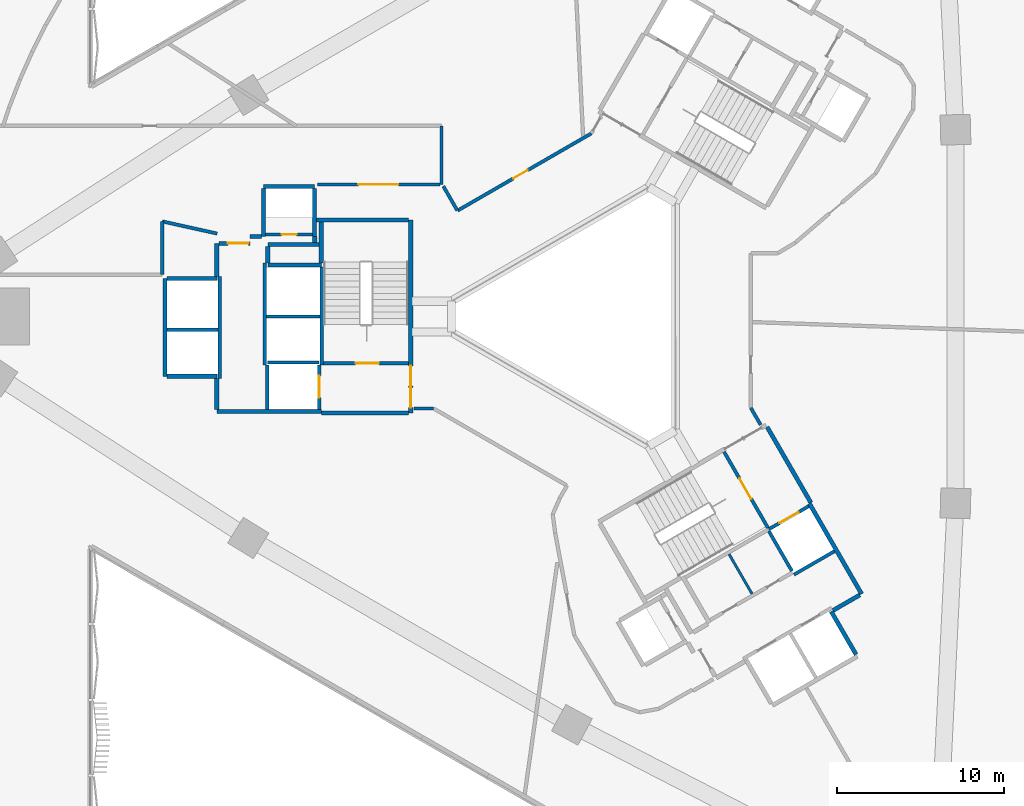
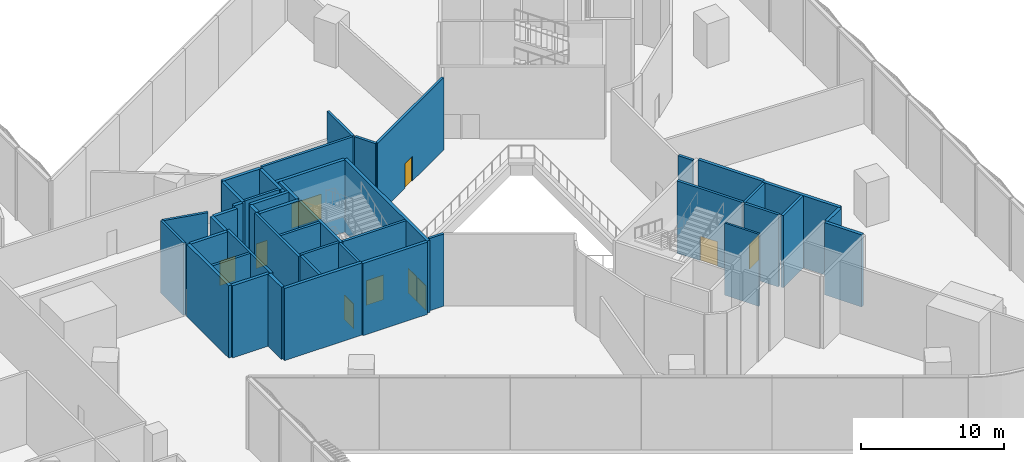
# One storey, part 15 of 32: 46 walls, 10 doors, 10 openings.
"""IFC4 building model written with IfcOpenShell, lengths in metres."""

from ifc_helpers import new_model, si_unit, direction, frame, frame_2d, origin, place, context, subcontext, project, spatial, rectangle, extrude, material, layer, layer_set, type_object, element, fill, save


model = new_model("IFC4")

# Units and contexts
model_context = context("Model", 3, precision=1e-05, world=origin(), true_north=direction((0.0, 1.0)))
body_context = subcontext(model_context, "Body", "Model", "MODEL_VIEW")
ifc_project = project(units=[si_unit("LENGTHUNIT", "METRE"), si_unit("AREAUNIT", "SQUARE_METRE"), si_unit("VOLUMEUNIT", "CUBIC_METRE"), si_unit("PLANEANGLEUNIT", "RADIAN"), si_unit("MASSUNIT", "GRAM", prefix="KILO")], contexts=[model_context])

# Site, building, storey
site_placement = place(None, origin())
site = spatial("IfcSite", under=ifc_project, at=site_placement, CompositionType="ELEMENT")
building_placement = place(site_placement, origin())
building = spatial("IfcBuilding", under=site, at=building_placement, Name="Tamra Quay Hotel Tower", CompositionType="ELEMENT")
storey_placement = place(building_placement, frame((0.0, 0.0, 7.5)))
storey = spatial("IfcBuildingStorey", under=building, at=storey_placement, Name="L01", CompositionType="ELEMENT", Elevation=7.5)

# Walls
ifc_material_1 = material(Name="Concrete M70", Category="concrete")
ifc_layer_1 = layer(ifc_material_1, 0.199951171875)
ifc_layer_set_1 = layer_set([ifc_layer_1], Name="Concrete M70 core wall 200")
wall_type_1 = type_object("IfcWallType", Name="Concrete M70 core wall 200", PredefinedType="SHEAR", material=ifc_layer_set_1)
wall_1_placement = place(storey_placement, frame((-16.162109375, 2.95068359375, 0.0), z_axis=(0.0, 0.0, 1.0), x_axis=(0.0, -1.0, 0.0)))
element("IfcWall", 1, at=wall_1_placement, inside=storey, type_object=wall_type_1, Name="CW2", PredefinedType="SHEAR", context=body_context, shape_type="SweptSolid", body=[
    extrude(rectangle(XDim=5.850830078125, YDim=0.199951171875, at=frame_2d((2.92529296875, 0.0))), origin(), (0.0, 0.0, 1.0), 6.14990234375),
])
for number, where, z_axis, x_axis, name in (
    (2, (-19.5625, -2.900146484375, 0.0), (0.0, 0.0, 1.0), (0.0, 1.0, 0.0), "CW2"),
    (3, (-22.26220703125, 2.400146484375, 0.0), (0.0, 0.0, 1.0), (0.0, -1.0, 0.0), "CW2"),
):
    element("IfcWall", number, at=place(storey_placement, frame(where, z_axis=z_axis, x_axis=x_axis)), inside=storey, type_object=wall_type_1, Name=name, PredefinedType="SHEAR", context=body_context, shape_type="SweptSolid", body=[
        extrude(rectangle(XDim=6.100341796875, YDim=0.199951171875, at=frame_2d((3.05029296875, 0.0))), origin(), (0.0, 0.0, 1.0), 6.14990234375),
    ])

# Wall, opening, door
wall_2_placement = place(storey_placement, frame((-10.96337890625, -2.800048828125, 0.0), z_axis=(0.0, 0.0, 1.0), x_axis=(-1.0, 0.0, 0.0)))
wall_2 = element("IfcWall", 4, at=wall_2_placement, inside=storey, type_object=wall_type_1, Name="CW2", PredefinedType="SHEAR", context=body_context, shape_type="SweptSolid", body=[
    extrude(rectangle(XDim=5.097900390625, YDim=0.199951171875, at=frame_2d((2.548828125, 0.0))), origin(), (0.0, 0.0, 1.0), 6.14990234375),
])
opening_1_placement = place(wall_2_placement, frame((1.77392578125, 0.0, 0.0)))
opening_1 = element("IfcOpeningElement", 5, at=opening_1_placement, cuts=wall_2, Name="Opening FD2", PredefinedType="OPENING", context=body_context, shape_type="SweptSolid", body=[
    extrude(rectangle(XDim=1.39990234375, YDim=2.10009765625, at=frame_2d((0.699951171875, 1.050048828125))), frame((0.0, 0.10986328125, 0.0), z_axis=(0.0, -1.0, 0.0), x_axis=(1.0, 0.0, 0.0)), (0.0, 0.0, 1.0), 0.219970703125),
])
ifc_material_2 = material(Name="Core door FD2 1400x2100 RH")
door_type_1 = type_object("IfcDoorType", Name="Core door FD2 1400x2100 RH", OperationType="NOTDEFINED", PredefinedType="DOOR", material=ifc_material_2)
door_1_placement = place(opening_1_placement, origin())
door_1 = element("IfcDoor", 6, at=door_1_placement, inside=storey, type_object=door_type_1, Name="FD2", OperationType="SINGLE_SWING_RIGHT", OverallHeight=2.10009765625, OverallWidth=1.39990234375, PredefinedType="DOOR", context=body_context, shape_type="SweptSolid", body=[
    extrude(rectangle(XDim=1.39990234375, YDim=2.10009765625, at=frame_2d((0.699951171875, 1.050048828125))), frame((0.0, 0.02490234375, 0.0), z_axis=(0.0, -1.0, 0.0), x_axis=(1.0, 0.0, 0.0)), (0.0, 0.0, 1.0), 0.050048828125),
])
fill(opening_1, door_1)

# Walls
wall_3_placement = place(storey_placement, frame((-16.26318359375, 0.0, 0.0), z_axis=(0.0, 0.0, 1.0), x_axis=(-1.0, 0.0, 0.0)))
element("IfcWall", 7, at=wall_3_placement, inside=storey, type_object=wall_type_1, Name="CW2", PredefinedType="SHEAR", context=body_context, shape_type="SweptSolid", body=[
    extrude(rectangle(XDim=3.1982421875, YDim=0.199951171875, at=frame_2d((1.59912109375, 0.0))), origin(), (0.0, 0.0, 1.0), 6.14990234375),
])
wall_4_placement = place(storey_placement, frame((-22.36328125, -0.800048828125, 0.0), z_axis=(0.0, 0.0, 1.0), x_axis=(-1.0, 0.0, 0.0)))
element("IfcWall", 8, at=wall_4_placement, inside=storey, type_object=wall_type_1, Name="CW2", PredefinedType="SHEAR", context=body_context, shape_type="SweptSolid", body=[
    extrude(rectangle(XDim=3.048095703125, YDim=0.199951171875, at=frame_2d((1.52392578125, 0.0))), origin(), (0.0, 0.0, 1.0), 6.14990234375),
])

# Wall, opening, door
wall_5_placement = place(storey_placement, frame((-19.51123046875, 4.91015625, 0.0), z_axis=(0.0, 0.0, 1.0), x_axis=(1.0, 0.0, 0.0)))
wall_5 = element("IfcWall", 9, at=wall_5_placement, inside=storey, type_object=wall_type_1, Name="CW2", PredefinedType="SHEAR", context=body_context, shape_type="SweptSolid", body=[
    extrude(rectangle(XDim=2.7978515625, YDim=0.199951171875, at=frame_2d((1.39892578125, 0.0))), origin(), (0.0, 0.0, 1.0), 6.14990234375),
])
opening_2_placement = place(wall_5_placement, frame((0.948974609375, 0.0, 0.0)))
opening_2 = element("IfcOpeningElement", 10, at=opening_2_placement, cuts=wall_5, Name="Opening D1", PredefinedType="OPENING", context=body_context, shape_type="SweptSolid", body=[
    extrude(rectangle(XDim=0.89990234375, YDim=2.10009765625, at=frame_2d((0.449951171875, 1.050048828125))), frame((0.0, 0.10986328125, 0.0), z_axis=(0.0, -1.0, 0.0), x_axis=(1.0, 0.0, 0.0)), (0.0, 0.0, 1.0), 0.219970703125),
])
ifc_material_3 = material(Name="Core door D1 900x2100 LH")
door_type_2 = type_object("IfcDoorType", Name="Core door D1 900x2100 LH", OperationType="NOTDEFINED", PredefinedType="DOOR", material=ifc_material_3)
door_2_placement = place(opening_2_placement, origin())
door_2 = element("IfcDoor", 11, at=door_2_placement, inside=storey, type_object=door_type_2, Name="D1", OperationType="SINGLE_SWING_LEFT", OverallHeight=2.10009765625, OverallWidth=0.89990234375, PredefinedType="DOOR", context=body_context, shape_type="SweptSolid", body=[
    extrude(rectangle(XDim=0.89990234375, YDim=2.10009765625, at=frame_2d((0.449951171875, 1.050048828125))), frame((0.0, 0.02490234375, 0.0), z_axis=(0.0, -1.0, 0.0), x_axis=(1.0, 0.0, 0.0)), (0.0, 0.0, 1.0), 0.050048828125),
])
fill(opening_2, door_2)

# Wall
wall_6_placement = place(storey_placement, frame((-19.412353515625, -2.75, 0.0), z_axis=(0.0, 0.0, 1.0), x_axis=(1.0, 0.0, 0.0)))
element("IfcWall", 12, at=wall_6_placement, inside=storey, type_object=wall_type_1, Name="CW2", PredefinedType="SHEAR", context=body_context, shape_type="SweptSolid", body=[
    extrude(rectangle(XDim=3.10009765625, YDim=0.199951171875, at=frame_2d((1.550048828125, 0.0))), origin(), (0.0, 0.0, 1.0), 6.14990234375),
])

# Wall, opening, door
wall_7_placement = place(storey_placement, frame((-16.312255859375, -2.898193359375, 0.0), z_axis=(0.0, 0.0, 1.0), x_axis=(0.0, -1.0, 0.0)))
wall_7 = element("IfcWall", 13, at=wall_7_placement, inside=storey, type_object=wall_type_1, Name="CW2", PredefinedType="SHEAR", context=body_context, shape_type="SweptSolid", body=[
    extrude(rectangle(XDim=2.65087890625, YDim=0.199951171875, at=frame_2d((1.325439453125, 0.0))), origin(), (0.0, 0.0, 1.0), 6.14990234375),
])
opening_3_placement = place(wall_7_placement, frame((0.65185546875, 0.0, 0.0)))
opening_3 = element("IfcOpeningElement", 14, at=opening_3_placement, cuts=wall_7, Name="Opening LD", PredefinedType="OPENING", context=body_context, shape_type="SweptSolid", body=[
    extrude(rectangle(XDim=1.300048828125, YDim=2.10009765625, at=frame_2d((0.64990234375, 1.050048828125))), frame((0.0, 0.10986328125, 0.0), z_axis=(0.0, -1.0, 0.0), x_axis=(1.0, 0.0, 0.0)), (0.0, 0.0, 1.0), 0.219970703125),
])
ifc_material_4 = material(Name="Landing door LD 1300 sliding to right")
door_type_3 = type_object("IfcDoorType", Name="Landing door LD 1300 sliding to right", OperationType="NOTDEFINED", PredefinedType="DOOR", material=ifc_material_4)
door_3_placement = place(opening_3_placement, origin())
door_3 = element("IfcDoor", 15, at=door_3_placement, inside=storey, type_object=door_type_3, Name="LD", OperationType="SLIDING_TO_RIGHT", OverallHeight=2.10009765625, OverallWidth=1.300048828125, PredefinedType="DOOR", context=body_context, shape_type="SweptSolid", body=[
    extrude(rectangle(XDim=1.300048828125, YDim=2.10009765625, at=frame_2d((0.64990234375, 1.050048828125))), frame((0.0, 0.02490234375, 0.0), z_axis=(0.0, -1.0, 0.0), x_axis=(1.0, 0.0, 0.0)), (0.0, 0.0, 1.0), 0.050048828125),
])
fill(opening_3, door_3)

# Wall
wall_8_placement = place(storey_placement, frame((-19.412353515625, -5.549072265625, 0.0), z_axis=(0.0, 0.0, 1.0), x_axis=(0.0, 1.0, 0.0)))
element("IfcWall", 16, at=wall_8_placement, inside=storey, type_object=wall_type_1, Name="CW2", PredefinedType="SHEAR", context=body_context, shape_type="SweptSolid", body=[
    extrude(rectangle(XDim=2.65087890625, YDim=0.199951171875, at=frame_2d((1.325439453125, 0.0))), origin(), (0.0, 0.0, 1.0), 6.14990234375),
])

# Wall, opening, door
wall_9_placement = place(storey_placement, frame((7.906494140625, -8.094482421875, 0.0), z_axis=(0.0, 0.0, 1.0), x_axis=(0.500024287448, -0.866011380966, 0.0)))
wall_9 = element("IfcWall", 17, at=wall_9_placement, inside=storey, type_object=wall_type_1, Name="CW2", PredefinedType="SHEAR", context=body_context, shape_type="SweptSolid", body=[
    extrude(rectangle(XDim=5.251220703125, YDim=0.199951171875, at=frame_2d((2.62548828125, 0.0))), origin(), (0.0, 0.0, 1.0), 6.14990234375),
])
opening_4_placement = place(wall_9_placement, frame((1.84912109375, 0.0, 0.0)))
opening_4 = element("IfcOpeningElement", 18, at=opening_4_placement, cuts=wall_9, Name="Opening FD2", PredefinedType="OPENING", context=body_context, shape_type="SweptSolid", body=[
    extrude(rectangle(XDim=1.39990234375, YDim=2.10009765625, at=frame_2d((0.699951171875, 1.050048828125))), frame((0.0, 0.10986328125, 0.0), z_axis=(0.0, -1.0, 0.0), x_axis=(1.0, 0.0, 0.0)), (0.0, 0.0, 1.0), 0.219970703125),
])
ifc_material_5 = material(Name="Core door FD2 1400x2100 LH")
door_type_4 = type_object("IfcDoorType", Name="Core door FD2 1400x2100 LH", OperationType="NOTDEFINED", PredefinedType="DOOR", material=ifc_material_5)
door_4_placement = place(opening_4_placement, origin())
door_4 = element("IfcDoor", 19, at=door_4_placement, inside=storey, type_object=door_type_4, Name="FD2", OperationType="SINGLE_SWING_LEFT", OverallHeight=2.10009765625, OverallWidth=1.39990234375, PredefinedType="DOOR", context=body_context, shape_type="SweptSolid", body=[
    extrude(rectangle(XDim=1.39990234375, YDim=2.10009765625, at=frame_2d((0.699951171875, 1.050048828125))), frame((0.0, 0.02490234375, 0.0), z_axis=(0.0, -1.0, 0.0), x_axis=(1.0, 0.0, 0.0)), (0.0, 0.0, 1.0), 0.050048828125),
])
fill(opening_4, door_4)

# Wall
wall_10_placement = place(storey_placement, frame((11.962646484375, -15.219970703125, 0.0), z_axis=(0.0, 0.0, 1.0), x_axis=(-0.500034990121, 0.866005201286, 0.0)))
element("IfcWall", 20, at=wall_10_placement, inside=storey, type_object=wall_type_1, Name="CW2", PredefinedType="SHEAR", context=body_context, shape_type="SweptSolid", body=[
    extrude(rectangle(XDim=2.749755859375, YDim=0.199951171875, at=frame_2d((1.375, 0.0))), origin(), (0.0, 0.0, 1.0), 6.14990234375),
])

# Wall, opening, door
wall_11_placement = place(storey_placement, frame((10.587158203125, -12.72314453125, 0.0), z_axis=(0.0, 0.0, 1.0), x_axis=(0.866037306777, 0.499979382845, 0.0)))
wall_11 = element("IfcWall", 21, at=wall_11_placement, inside=storey, type_object=wall_type_1, Name="CW2", PredefinedType="SHEAR", context=body_context, shape_type="SweptSolid", body=[
    extrude(rectangle(XDim=2.74169921875, YDim=0.199951171875, at=frame_2d((1.370849609375, 0.0))), origin(), (0.0, 0.0, 1.0), 6.14990234375),
])
opening_5_placement = place(wall_11_placement, frame((0.742919921875, 0.0, 0.0)))
opening_5 = element("IfcOpeningElement", 22, at=opening_5_placement, cuts=wall_11, Name="Opening LD", PredefinedType="OPENING", context=body_context, shape_type="SweptSolid", body=[
    extrude(rectangle(XDim=1.300048828125, YDim=2.10009765625, at=frame_2d((0.64990234375, 1.050048828125))), frame((0.0, 0.10986328125, 0.0), z_axis=(0.0, -1.0, 0.0), x_axis=(1.0, 0.0, 0.0)), (0.0, 0.0, 1.0), 0.219970703125),
])
ifc_material_6 = material(Name="Landing door LD 1300 sliding to left")
door_type_5 = type_object("IfcDoorType", Name="Landing door LD 1300 sliding to left", OperationType="NOTDEFINED", PredefinedType="DOOR", material=ifc_material_6)
door_5_placement = place(opening_5_placement, origin())
door_5 = element("IfcDoor", 23, at=door_5_placement, inside=storey, type_object=door_type_5, Name="LD", OperationType="SLIDING_TO_LEFT", OverallHeight=2.10009765625, OverallWidth=1.300048828125, PredefinedType="DOOR", context=body_context, shape_type="SweptSolid", body=[
    extrude(rectangle(XDim=1.300048828125, YDim=2.10009765625, at=frame_2d((0.64990234375, 1.050048828125))), frame((0.0, 0.02490234375, 0.0), z_axis=(0.0, -1.0, 0.0), x_axis=(1.0, 0.0, 0.0)), (0.0, 0.0, 1.0), 0.050048828125),
])
fill(opening_5, door_5)

# Wall
wall_12_placement = place(storey_placement, frame((14.51171875, -14.037109375, 0.0), z_axis=(0.0, 0.0, 1.0), x_axis=(-0.866044696403, -0.499966582715, 0.0)))
element("IfcWall", 24, at=wall_12_placement, inside=storey, type_object=wall_type_1, Name="CW2", PredefinedType="SHEAR", context=body_context, shape_type="SweptSolid", body=[
    extrude(rectangle(XDim=2.799072265625, YDim=0.199951171875, at=frame_2d((1.3994140625, 0.0))), origin(), (0.0, 0.0, 1.0), 6.14990234375),
])

# Wall, openings, doors
ifc_layer_2 = layer(ifc_material_1, 0.25)
ifc_layer_set_2 = layer_set([ifc_layer_2], Name="Concrete M70 core wall 250")
wall_type_2 = type_object("IfcWallType", Name="Concrete M70 core wall 250", PredefinedType="SHEAR", material=ifc_layer_set_2)
wall_13_placement = place(storey_placement, frame((-10.83740234375, 5.77490234375, 0.0), z_axis=(0.0, 0.0, 1.0), x_axis=(0.0, -1.0, 0.0)))
wall_13 = element("IfcWall", 25, at=wall_13_placement, inside=storey, type_object=wall_type_2, Name="CW1", PredefinedType="SHEAR", context=body_context, shape_type="SweptSolid", body=[
    extrude(rectangle(XDim=11.5498046875, YDim=0.25, at=frame_2d((5.77490234375, 0.0))), origin(), (0.0, 0.0, 1.0), 6.14990234375),
])
opening_6_placement = place(wall_13_placement, frame((10.02490234375, 0.0, 0.0)))
opening_6 = element("IfcOpeningElement", 26, at=opening_6_placement, cuts=wall_13, Name="Opening FD1", PredefinedType="OPENING", context=body_context, shape_type="SweptSolid", body=[
    extrude(rectangle(XDim=1.199951171875, YDim=2.10009765625, at=frame_2d((0.60009765625, 1.050048828125))), frame((0.0, 0.135009765625, 0.0), z_axis=(0.0, -1.0, 0.0), x_axis=(1.0, 0.0, 0.0)), (0.0, 0.0, 1.0), 0.27001953125),
])
opening_7_placement = place(wall_13_placement, frame((8.72509765625, 0.0, 0.0)))
opening_7 = element("IfcOpeningElement", 27, at=opening_7_placement, cuts=wall_13, Name="Opening FD1", PredefinedType="OPENING", context=body_context, shape_type="SweptSolid", body=[
    extrude(rectangle(XDim=1.199951171875, YDim=2.10009765625, at=frame_2d((0.60009765625, 1.050048828125))), frame((0.0, 0.135009765625, 0.0), z_axis=(0.0, -1.0, 0.0), x_axis=(1.0, 0.0, 0.0)), (0.0, 0.0, 1.0), 0.27001953125),
])
ifc_material_7 = material(Name="Core door FD1 1200x2100 LH")
door_type_6 = type_object("IfcDoorType", Name="Core door FD1 1200x2100 LH", OperationType="NOTDEFINED", PredefinedType="DOOR", material=ifc_material_7)
door_6_placement = place(opening_6_placement, origin())
door_6 = element("IfcDoor", 28, at=door_6_placement, inside=storey, type_object=door_type_6, Name="FD1", OperationType="SINGLE_SWING_LEFT", OverallHeight=2.10009765625, OverallWidth=1.199951171875, PredefinedType="DOOR", context=body_context, shape_type="SweptSolid", body=[
    extrude(rectangle(XDim=1.199951171875, YDim=2.10009765625, at=frame_2d((0.60009765625, 1.050048828125))), frame((0.0, 0.02490234375, 0.0), z_axis=(0.0, -1.0, 0.0), x_axis=(1.0, 0.0, 0.0)), (0.0, 0.0, 1.0), 0.050048828125),
])
fill(opening_6, door_6)
ifc_material_8 = material(Name="Core door FD1 1200x2100 RH")
door_type_7 = type_object("IfcDoorType", Name="Core door FD1 1200x2100 RH", OperationType="NOTDEFINED", PredefinedType="DOOR", material=ifc_material_8)
door_7_placement = place(opening_7_placement, origin())
door_7 = element("IfcDoor", 29, at=door_7_placement, inside=storey, type_object=door_type_7, Name="FD1", OperationType="SINGLE_SWING_RIGHT", OverallHeight=2.10009765625, OverallWidth=1.199951171875, PredefinedType="DOOR", context=body_context, shape_type="SweptSolid", body=[
    extrude(rectangle(XDim=1.199951171875, YDim=2.10009765625, at=frame_2d((0.60009765625, 1.050048828125))), frame((0.0, 0.02490234375, 0.0), z_axis=(0.0, -1.0, 0.0), x_axis=(1.0, 0.0, 0.0)), (0.0, 0.0, 1.0), 0.050048828125),
])
fill(opening_7, door_7)

# Walls
wall_14_placement = place(storey_placement, frame((-16.187255859375, -5.675048828125, 0.0), z_axis=(0.0, 0.0, 1.0), x_axis=(-1.0, 0.0, 0.0)))
element("IfcWall", 30, at=wall_14_placement, inside=storey, type_object=wall_type_2, Name="CW1", PredefinedType="SHEAR", context=body_context, shape_type="SweptSolid", body=[
    extrude(rectangle(XDim=6.25, YDim=0.25, at=frame_2d((3.125, 0.0))), origin(), (0.0, 0.0, 1.0), 6.14990234375),
])
wall_15_placement = place(storey_placement, frame((-25.537353515625, -3.574951171875, 0.0), z_axis=(0.0, 0.0, 1.0), x_axis=(0.0, 1.0, 0.0)))
element("IfcWall", 31, at=wall_15_placement, inside=storey, type_object=wall_type_2, Name="CW1", PredefinedType="SHEAR", context=body_context, shape_type="SweptSolid", body=[
    extrude(rectangle(XDim=5.849853515625, YDim=0.25, at=frame_2d((2.9248046875, 0.0))), origin(), (0.0, 0.0, 1.0), 6.14990234375),
])
wall_16_placement = place(storey_placement, frame((-10.962646484375, -5.77490234375, 0.0), z_axis=(0.0, 0.0, 1.0), x_axis=(-1.0, 0.0, 0.0)))
element("IfcWall", 32, at=wall_16_placement, inside=storey, type_object=wall_type_2, Name="CW1", PredefinedType="SHEAR", context=body_context, shape_type="SweptSolid", body=[
    extrude(rectangle(XDim=5.224609375, YDim=0.25, at=frame_2d((2.6123046875, 0.0))), origin(), (0.0, 0.0, 1.0), 6.14990234375),
])
wall_17_placement = place(storey_placement, frame((-16.47216796875, 5.77490234375, 0.0), z_axis=(0.0, 0.0, 1.0), x_axis=(1.0, 0.0, 0.0)))
element("IfcWall", 33, at=wall_17_placement, inside=storey, type_object=wall_type_2, Name="CW1", PredefinedType="SHEAR", context=body_context, shape_type="SweptSolid", body=[
    extrude(rectangle(XDim=5.509521484375, YDim=0.25, at=frame_2d((2.7548828125, 0.0))), origin(), (0.0, 0.0, 1.0), 6.14990234375),
])
wall_18_placement = place(storey_placement, frame((-19.38720703125, 3.074951171875, 0.0), z_axis=(0.0, 0.0, 1.0), x_axis=(1.0, 0.0, 0.0)))
element("IfcWall", 34, at=wall_18_placement, inside=storey, type_object=wall_type_2, Name="CW1", PredefinedType="SHEAR", context=body_context, shape_type="SweptSolid", body=[
    extrude(rectangle(XDim=3.199951171875, YDim=0.25, at=frame_2d((1.60009765625, 0.0))), origin(), (0.0, 0.0, 1.0), 6.14990234375),
])
for number, where, z_axis, x_axis, name in (
    (35, (-22.437255859375, -3.574951171875, 0.0), (0.0, 0.0, 1.0), (-1.0, 0.0, 0.0), "CW1"),
    (36, (-25.411865234375, 2.27490234375, 0.0), (0.0, 0.0, 1.0), (1.0, 0.0, 0.0), "CW1"),
):
    element("IfcWall", number, at=place(storey_placement, frame(where, z_axis=z_axis, x_axis=x_axis)), inside=storey, type_object=wall_type_2, Name=name, PredefinedType="SHEAR", context=body_context, shape_type="SweptSolid", body=[
        extrude(rectangle(XDim=2.974609375, YDim=0.25, at=frame_2d((1.4873046875, 0.0))), origin(), (0.0, 0.0, 1.0), 6.14990234375),
    ])
wall_19_placement = place(storey_placement, frame((-19.63720703125, 7.77490234375, 0.0), z_axis=(0.0, 0.0, 1.0), x_axis=(1.0, 0.0, 0.0)))
element("IfcWall", 37, at=wall_19_placement, inside=storey, type_object=wall_type_2, Name="CW1", PredefinedType="SHEAR", context=body_context, shape_type="SweptSolid", body=[
    extrude(rectangle(XDim=3.0498046875, YDim=0.25, at=frame_2d((1.52490234375, 0.0))), origin(), (0.0, 0.0, 1.0), 6.14990234375),
])
for number, where, z_axis, x_axis, name in (
    (38, (-16.58740234375, 7.649658203125, 0.0), (0.0, 0.0, 1.0), (0.0, -1.0, 0.0), "CW1"),
    (39, (-19.63720703125, 4.784912109375, 0.0), (0.0, 0.0, 1.0), (0.0, 1.0, 0.0), "CW1"),
):
    element("IfcWall", number, at=place(storey_placement, frame(where, z_axis=z_axis, x_axis=x_axis)), inside=storey, type_object=wall_type_2, Name=name, PredefinedType="SHEAR", context=body_context, shape_type="SweptSolid", body=[
        extrude(rectangle(XDim=2.86474609375, YDim=0.25, at=frame_2d((1.432373046875, 0.0))), origin(), (0.0, 0.0, 1.0), 6.14990234375),
    ])
wall_20_placement = place(storey_placement, frame((-16.30224609375, 4.31494140625, 0.0), z_axis=(0.0, 0.0, 1.0), x_axis=(-1.0, 0.0, 0.0)))
element("IfcWall", 40, at=wall_20_placement, inside=storey, type_object=wall_type_2, Name="CW1", PredefinedType="SHEAR", context=body_context, shape_type="SweptSolid", body=[
    extrude(rectangle(XDim=3.0849609375, YDim=0.25, at=frame_2d((1.54248046875, 0.0))), origin(), (0.0, 0.0, 1.0), 6.14990234375),
])
wall_21_placement = place(storey_placement, frame((-16.187255859375, 3.200439453125, 0.0), z_axis=(0.0, 0.0, 1.0), x_axis=(0.0, 1.0, 0.0)))
element("IfcWall", 41, at=wall_21_placement, inside=storey, type_object=wall_type_2, Name="CW1", PredefinedType="SHEAR", context=body_context, shape_type="SweptSolid", body=[
    extrude(rectangle(XDim=2.44921875, YDim=0.25, at=frame_2d((1.224609375, 0.0))), origin(), (0.0, 0.0, 1.0), 6.14990234375),
])
wall_22_placement = place(storey_placement, frame((-22.437255859375, 2.400390625, 0.0), z_axis=(0.0, 0.0, 1.0), x_axis=(0.0, 1.0, 0.0)))
element("IfcWall", 42, at=wall_22_placement, inside=storey, type_object=wall_type_2, Name="CW1", PredefinedType="SHEAR", context=body_context, shape_type="SweptSolid", body=[
    extrude(rectangle(XDim=1.974609375, YDim=0.25, at=frame_2d((0.9873046875, 0.0))), origin(), (0.0, 0.0, 1.0), 6.14990234375),
])
wall_23_placement = place(storey_placement, frame((-22.437255859375, -5.549560546875, 0.0), z_axis=(0.0, 0.0, 1.0), x_axis=(0.0, 1.0, 0.0)))
element("IfcWall", 43, at=wall_23_placement, inside=storey, type_object=wall_type_2, Name="CW1", PredefinedType="SHEAR", context=body_context, shape_type="SweptSolid", body=[
    extrude(rectangle(XDim=1.84912109375, YDim=0.25, at=frame_2d((0.924560546875, 0.0))), origin(), (0.0, 0.0, 1.0), 6.14990234375),
])

# Wall, opening, door
wall_24_placement = place(storey_placement, frame((-22.311767578125, 4.375, 0.0), z_axis=(0.0, 0.0, 1.0), x_axis=(1.0, 0.0, 0.0)))
wall_24 = element("IfcWall", 44, at=wall_24_placement, inside=storey, type_object=wall_type_2, Name="CW1", PredefinedType="SHEAR", context=body_context, shape_type="SweptSolid", body=[
    extrude(rectangle(XDim=1.864501953125, YDim=0.25, at=frame_2d((0.93212890625, 0.0))), origin(), (0.0, 0.0, 1.0), 6.14990234375),
])
opening_8_placement = place(wall_24_placement, frame((0.53466796875, 0.0, 0.0)))
opening_8 = element("IfcOpeningElement", 45, at=opening_8_placement, cuts=wall_24, Name="Opening FD3", PredefinedType="OPENING", context=body_context, shape_type="SweptSolid", body=[
    extrude(rectangle(XDim=1.25, YDim=2.10009765625, at=frame_2d((0.625, 1.050048828125))), frame((0.0, 0.135009765625, 0.0), z_axis=(0.0, -1.0, 0.0), x_axis=(1.0, 0.0, 0.0)), (0.0, 0.0, 1.0), 0.27001953125),
])
ifc_material_9 = material(Name="Core door FD3 1250x2100 LH")
door_type_8 = type_object("IfcDoorType", Name="Core door FD3 1250x2100 LH", OperationType="NOTDEFINED", PredefinedType="DOOR", material=ifc_material_9)
door_8_placement = place(opening_8_placement, origin())
door_8 = element("IfcDoor", 46, at=door_8_placement, inside=storey, type_object=door_type_8, Name="FD3", OperationType="SINGLE_SWING_LEFT", OverallHeight=2.10009765625, OverallWidth=1.25, PredefinedType="DOOR", context=body_context, shape_type="SweptSolid", body=[
    extrude(rectangle(XDim=1.25, YDim=2.10009765625, at=frame_2d((0.625, 1.050048828125))), frame((0.0, 0.02490234375, 0.0), z_axis=(0.0, -1.0, 0.0), x_axis=(1.0, 0.0, 0.0)), (0.0, 0.0, 1.0), 0.050048828125),
])
fill(opening_8, door_8)

# Walls
wall_25_placement = place(storey_placement, frame((-19.38720703125, 4.189697265625, 0.0), z_axis=(0.0, 0.0, 1.0), x_axis=(0.0, -1.0, 0.0)))
element("IfcWall", 47, at=wall_25_placement, inside=storey, type_object=wall_type_2, Name="CW1", PredefinedType="SHEAR", context=body_context, shape_type="SweptSolid", body=[
    extrude(rectangle(XDim=0.9892578125, YDim=0.25, at=frame_2d((0.49462890625, 0.0))), origin(), (0.0, 0.0, 1.0), 6.14990234375),
])
wall_26_placement = place(storey_placement, frame((-20.447265625, 4.784912109375, 0.0), z_axis=(0.0, 0.0, 1.0), x_axis=(1.0, 0.0, 0.0)))
element("IfcWall", 48, at=wall_26_placement, inside=storey, type_object=wall_type_2, Name="CW1", PredefinedType="SHEAR", context=body_context, shape_type="SweptSolid", body=[
    extrude(rectangle(XDim=0.6845703125, YDim=0.25, at=frame_2d((0.34228515625, 0.0))), origin(), (0.0, 0.0, 1.0), 6.14990234375),
])
wall_27_placement = place(storey_placement, frame((-16.577392578125, 4.784912109375, 0.0), z_axis=(0.0, 0.0, 1.0), x_axis=(0.0, -1.0, 0.0)))
element("IfcWall", 49, at=wall_27_placement, inside=storey, type_object=wall_type_2, Name="CW1", PredefinedType="SHEAR", context=body_context, shape_type="SweptSolid", body=[
    extrude(rectangle(XDim=0.344482421875, YDim=0.25, at=frame_2d((0.17236328125, 0.0))), origin(), (0.0, 0.0, 1.0), 6.14990234375),
])
wall_28_placement = place(storey_placement, frame((13.00830078125, -11.18115234375, 0.0), z_axis=(0.0, 0.0, 1.0), x_axis=(0.500004234368, -0.866022959057, 0.0)))
element("IfcWall", 50, at=wall_28_placement, inside=storey, type_object=wall_type_2, Name="CW1", PredefinedType="SHEAR", context=body_context, shape_type="SweptSolid", body=[
    extrude(rectangle(XDim=6.25, YDim=0.25, at=frame_2d((3.125, 0.0))), origin(), (0.0, 0.0, 1.0), 6.14990234375),
])
wall_29_placement = place(storey_placement, frame((10.482666015625, -6.6064453125, 0.0), z_axis=(0.0, 0.0, 1.0), x_axis=(0.49999885962, -0.866026062182, 0.0)))
element("IfcWall", 51, at=wall_29_placement, inside=storey, type_object=wall_type_2, Name="CW1", PredefinedType="SHEAR", context=body_context, shape_type="SweptSolid", body=[
    extrude(rectangle(XDim=5.224609375, YDim=0.25, at=frame_2d((2.6123046875, 0.0))), origin(), (0.0, 0.0, 1.0), 6.14990234375),
])
wall_30_placement = place(storey_placement, frame((14.314697265625, -17.643798828125, 0.0), z_axis=(0.0, 0.0, 1.0), x_axis=(0.500023226632, -0.866011993467, 0.0)))
element("IfcWall", 52, at=wall_30_placement, inside=storey, type_object=wall_type_2, Name="CW1", PredefinedType="SHEAR", context=body_context, shape_type="SweptSolid", body=[
    extrude(rectangle(XDim=2.974365234375, YDim=0.25, at=frame_2d((1.4873046875, 0.0))), origin(), (0.0, 0.0, 1.0), 6.14990234375),
])
wall_31_placement = place(storey_placement, frame((16.024658203125, -16.656494140625, 0.0), z_axis=(0.0, 0.0, 1.0), x_axis=(-0.866016279763, -0.500015802937, 0.0)))
element("IfcWall", 53, at=wall_31_placement, inside=storey, type_object=wall_type_2, Name="CW1", PredefinedType="SHEAR", context=body_context, shape_type="SweptSolid", body=[
    extrude(rectangle(XDim=1.84912109375, YDim=0.25, at=frame_2d((0.924560546875, 0.0))), origin(), (0.0, 0.0, 1.0), 6.14990234375),
])
ifc_material_10 = material(Name="Blockwork", Category="masonry")
ifc_layer_3 = layer(ifc_material_10, 0.14990234375)
ifc_layer_set_3 = layer_set([ifc_layer_3], Name="Core partition block 150")
wall_type_3 = type_object("IfcWallType", Name="Core partition block 150", PredefinedType="PARTITIONING", material=ifc_layer_set_3)
wall_32_placement = place(storey_placement, frame((8.20654296875, -14.214111328125, 0.0), z_axis=(0.0, 0.0, 1.0), x_axis=(0.50002746344, -0.86600954718, 0.0)))
element("IfcWall", 54, at=wall_32_placement, inside=storey, type_object=wall_type_3, Name="CP1", PredefinedType="PARTITIONING", context=body_context, shape_type="SweptSolid", body=[
    extrude(rectangle(XDim=2.748291015625, YDim=0.14990234375, at=frame_2d((1.3740234375, 0.0))), origin(), (0.0, 0.0, 1.0), 6.14990234375),
])

# Wall, opening, door
ifc_material_11 = material(Name="Partition corridor wall")
ifc_layer_4 = layer(ifc_material_11, 0.199951171875)
ifc_layer_set_4 = layer_set([ifc_layer_4], Name="Partition corridor wall")
wall_type_4 = type_object("IfcWallType", Name="Partition corridor wall", PredefinedType="PARTITIONING", material=ifc_layer_set_4)
wall_33_placement = place(storey_placement, frame((-16.40234375, 7.89990234375, 0.0), z_axis=(0.0, 0.0, 1.0), x_axis=(1.0, 0.0, 0.0)))
wall_33 = element("IfcWall", 55, at=wall_33_placement, inside=storey, type_object=wall_type_4, Name="W-C", PredefinedType="PARTITIONING", context=body_context, shape_type="SweptSolid", body=[
    extrude(rectangle(XDim=7.330322265625, YDim=0.199951171875, at=frame_2d((3.6650390625, 0.0))), origin(), (0.0, 0.0, 1.0), 6.14990234375),
])
opening_9_placement = place(wall_33_placement, frame((2.42919921875, 0.0, 0.0)))
opening_9 = element("IfcOpeningElement", 56, at=opening_9_placement, cuts=wall_33, Name="Opening L01-D014", PredefinedType="OPENING", context=body_context, shape_type="SweptSolid", body=[
    extrude(rectangle(XDim=2.39990234375, YDim=2.10009765625, at=frame_2d((1.199951171875, 1.050048828125))), frame((0.0, 0.10986328125, 0.0), z_axis=(0.0, -1.0, 0.0), x_axis=(1.0, 0.0, 0.0)), (0.0, 0.0, 1.0), 0.219970703125),
])
ifc_material_12 = material(Name="Door double leaf 2400x2100")
door_type_9 = type_object("IfcDoorType", Name="Door double leaf 2400x2100", OperationType="DOUBLE_DOOR_SINGLE_SWING", PredefinedType="DOOR", material=ifc_material_12)
door_9_placement = place(opening_9_placement, frame((2.39990234375, 0.0, 0.0), z_axis=(0.0, 0.0, 1.0), x_axis=(-1.0, 0.0, 0.0)))
door_9 = element("IfcDoor", 57, at=door_9_placement, inside=storey, type_object=door_type_9, Name="L01-D014", OperationType="DOUBLE_DOOR_SINGLE_SWING", OverallHeight=2.10009765625, OverallWidth=2.39990234375, PredefinedType="DOOR", context=body_context, shape_type="SweptSolid", body=[
    extrude(rectangle(XDim=2.39990234375, YDim=2.10009765625, at=frame_2d((1.199951171875, 1.050048828125))), frame((0.0, 0.02490234375, 0.0), z_axis=(0.0, -1.0, 0.0), x_axis=(1.0, 0.0, 0.0)), (0.0, 0.0, 1.0), 0.050048828125),
])
fill(opening_9, door_9)

# Walls
wall_34_placement = place(storey_placement, frame((-10.65234375, -5.5, 0.0), z_axis=(0.0, 0.0, 1.0), x_axis=(1.0, 0.0, 0.0)))
element("IfcWall", 58, at=wall_34_placement, inside=storey, type_object=wall_type_4, Name="W-C", PredefinedType="PARTITIONING", context=body_context, shape_type="SweptSolid", body=[
    extrude(rectangle(XDim=1.17822265625, YDim=0.199951171875, at=frame_2d((0.589111328125, 0.0))), origin(), (0.0, 0.0, 1.0), 6.14990234375),
])
wall_35_placement = place(storey_placement, frame((-8.886962890625, 7.7958984375, 0.0), z_axis=(0.0, 0.0, 1.0), x_axis=(0.49888522925, -0.866668061046, 0.0)))
element("IfcWall", 59, at=wall_35_placement, inside=storey, type_object=wall_type_4, Name="W-C", PredefinedType="PARTITIONING", context=body_context, shape_type="SweptSolid", body=[
    extrude(rectangle(XDim=1.683349609375, YDim=0.199951171875, at=frame_2d((0.841796875, 0.0))), origin(), (0.0, 0.0, 1.0), 6.14990234375),
])

# Wall, opening, door
wall_36_placement = place(storey_placement, frame((-8.028564453125, 6.3369140625, 0.0), z_axis=(0.0, 0.0, 1.0), x_axis=(0.866104553896, 0.499862882919, 0.0)))
wall_36 = element("IfcWall", 60, at=wall_36_placement, inside=storey, type_object=wall_type_4, Name="W-C", PredefinedType="PARTITIONING", context=body_context, shape_type="SweptSolid", body=[
    extrude(rectangle(XDim=9.23046875, YDim=0.199951171875, at=frame_2d((4.615234375, 0.0))), origin(), (0.0, 0.0, 1.0), 6.14990234375),
])
opening_10_placement = place(wall_36_placement, frame((3.838623046875, 0.0, 0.0)))
opening_10 = element("IfcOpeningElement", 61, at=opening_10_placement, cuts=wall_36, Name="Opening L01-D017", PredefinedType="OPENING", context=body_context, shape_type="SweptSolid", body=[
    extrude(rectangle(XDim=1.0, YDim=2.10009765625, at=frame_2d((0.5, 1.050048828125))), frame((0.0, 0.10986328125, 0.0), z_axis=(0.0, -1.0, 0.0), x_axis=(1.0, 0.0, 0.0)), (0.0, 0.0, 1.0), 0.219970703125),
])
ifc_material_13 = material(Name="Door guest room 1000x2100")
door_type_10 = type_object("IfcDoorType", Name="Door guest room 1000x2100", OperationType="NOTDEFINED", PredefinedType="DOOR", material=ifc_material_13)
door_10_placement = place(opening_10_placement, origin())
door_10 = element("IfcDoor", 62, at=door_10_placement, inside=storey, type_object=door_type_10, Name="L01-D017", OperationType="SINGLE_SWING_LEFT", OverallHeight=2.10009765625, OverallWidth=1.0, PredefinedType="DOOR", context=body_context, shape_type="SweptSolid", body=[
    extrude(rectangle(XDim=1.0, YDim=2.10009765625, at=frame_2d((0.5, 1.050048828125))), frame((0.0, 0.02490234375, 0.0), z_axis=(0.0, -1.0, 0.0), x_axis=(1.0, 0.0, 0.0)), (0.0, 0.0, 1.0), 0.050048828125),
])
fill(opening_10, door_10)

# Walls
wall_37_placement = place(storey_placement, frame((9.508056640625, -5.468017578125, 0.0), z_axis=(0.0, 0.0, 1.0), x_axis=(0.500970056897, -0.865464616315, 0.0)))
element("IfcWall", 63, at=wall_37_placement, inside=storey, type_object=wall_type_4, Name="W-C", PredefinedType="PARTITIONING", context=body_context, shape_type="SweptSolid", body=[
    extrude(rectangle(XDim=1.162841796875, YDim=0.199951171875, at=frame_2d((0.58154296875, 0.0))), origin(), (0.0, 0.0, 1.0), 6.14990234375),
])
ifc_material_14 = material(Name="Partition party wall")
ifc_layer_5 = layer(ifc_material_14, 0.199951171875)
ifc_layer_set_5 = layer_set([ifc_layer_5], Name="Partition party wall")
wall_type_5 = type_object("IfcWallType", Name="Partition party wall", PredefinedType="PARTITIONING", material=ifc_layer_set_5)
wall_38_placement = place(storey_placement, frame((-25.699951171875, 2.5, 0.0), z_axis=(0.0, 0.0, 1.0), x_axis=(0.0, 1.0, 0.0)))
element("IfcWall", 64, at=wall_38_placement, inside=storey, type_object=wall_type_5, Name="W-P", PredefinedType="PARTITIONING", context=body_context, shape_type="SweptSolid", body=[
    extrude(rectangle(XDim=3.18701171875, YDim=0.199951171875, at=frame_2d((1.593505859375, 0.0))), origin(), (0.0, 0.0, 1.0), 6.14990234375),
])
wall_39_placement = place(storey_placement, frame((-25.697998046875, 5.68896484375, 0.0), z_axis=(0.0, 0.0, 1.0), x_axis=(0.976357548796, -0.216161830371, 0.0)))
element("IfcWall", 65, at=wall_39_placement, inside=storey, type_object=wall_type_5, Name="W-P", PredefinedType="PARTITIONING", context=body_context, shape_type="SweptSolid", body=[
    extrude(rectangle(XDim=3.363525390625, YDim=0.199951171875, at=frame_2d((1.681640625, 0.0))), origin(), (0.0, 0.0, 1.0), 6.14990234375),
])
wall_40_placement = place(storey_placement, frame((-9.0, 7.89990234375, 0.0), z_axis=(0.0, 0.0, 1.0), x_axis=(0.0, 1.0, 0.0)))
element("IfcWall", 66, at=wall_40_placement, inside=storey, type_object=wall_type_5, Name="W-P", PredefinedType="PARTITIONING", context=body_context, shape_type="SweptSolid", body=[
    extrude(rectangle(XDim=3.5, YDim=0.199951171875, at=frame_2d((1.75, 0.0))), origin(), (0.0, 0.0, 1.0), 6.14990234375),
])

save(model, "model.ifc")
